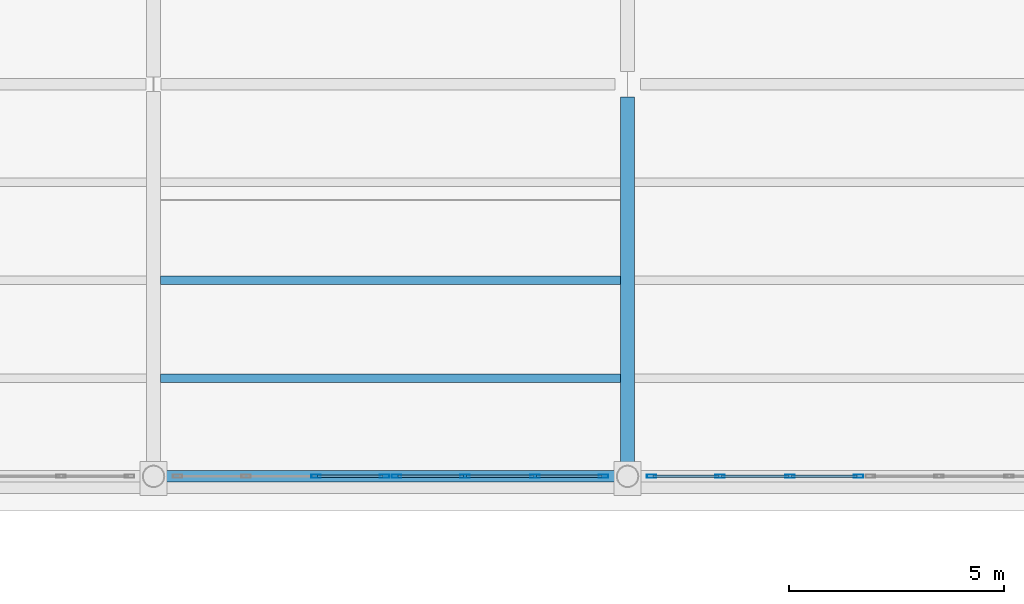
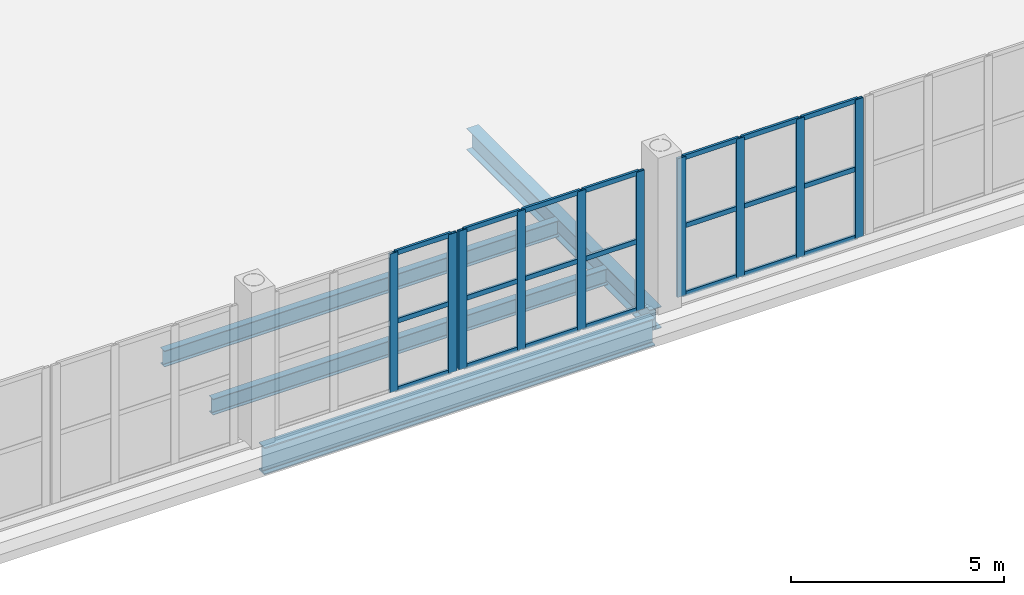
# One storey, part 20 of 156: 31 members, 4 beams, 3 elements without a shape of their own.
"""IFC4 building model written with IfcOpenShell, lengths in metres."""

from ifc_helpers import new_model, si_unit, direction, frame, origin, origin_2d, place, context, subcontext, project, spatial, hollow_rectangle, i_section, extrude, material, material_profile, profile_set, type_object, element, aggregate, save


model = new_model("IFC4")

# Units and contexts
model_context = context("Model", 3, precision=1e-05, world=origin(), true_north=direction((0.0, 1.0)))
body_context = subcontext(model_context, "Body", "Model", "MODEL_VIEW")
ifc_project = project(units=[si_unit("LENGTHUNIT", "METRE"), si_unit("AREAUNIT", "SQUARE_METRE"), si_unit("VOLUMEUNIT", "CUBIC_METRE"), si_unit("PLANEANGLEUNIT", "RADIAN"), si_unit("MASSUNIT", "GRAM", prefix="KILO")], contexts=[model_context])

# Site, building, storey
site_placement = place(None, origin())
site = spatial("IfcSite", under=ifc_project, at=site_placement, CompositionType="ELEMENT")
building_placement = place(site_placement, origin())
building = spatial("IfcBuilding", under=site, at=building_placement, Name="Caurita Quay Ferry Terminal", CompositionType="ELEMENT")
storey_placement = place(building_placement, frame((0.0, 0.0, 5.39990234375)))
storey = spatial("IfcBuildingStorey", under=building, at=storey_placement, Name="L01", CompositionType="ELEMENT", Elevation=5.39990234375)

# Beams
ifc_material_1 = material(Name="Structural steel ASTM A992 Gr. 50", Category="steel")
ifc_material_profile_1 = material_profile(ifc_material_1, i_section(OverallWidth=0.3251953125, OverallDepth=0.612060546875, WebThickness=0.0126953125, FlangeThickness=0.01904296875, FilletRadius=0.01513671875, at=origin_2d()), Name="W24X104")
ifc_profile_set_1 = profile_set([ifc_material_profile_1], Name="Structural steel ASTM A992 Gr. 50")
beam_type_1 = type_object("IfcBeamType", Name="BM-GR-W24A", PredefinedType="BEAM", material=ifc_profile_set_1)
beam_1_placement = place(storey_placement, frame((22.0, 34.81591796875, -0.60595703125), z_axis=(0.0, 1.0, 0.0), x_axis=(-1.0, 0.0, 0.0)))
element("IfcBeam", 1, at=beam_1_placement, inside=storey, type_object=beam_type_1, Name="L01 Beam BM-V1-L01-Y-220-348", PredefinedType="BEAM", context=body_context, shape_type="SweptSolid", body=[
    extrude(i_section(OverallWidth=0.3251953125, OverallDepth=0.612060546875, WebThickness=0.0126953125, FlangeThickness=0.01904296875, FilletRadius=0.01513671875, at=origin_2d()), origin(), (0.0, 0.0, 1.0), 8.586669921875),
])
ifc_material_profile_2 = material_profile(ifc_material_1, i_section(OverallWidth=0.2666015625, OverallDepth=0.77978515625, WebThickness=0.0166015625, FlangeThickness=0.030029296875, FilletRadius=0.01904296875, at=origin_2d()), Name="W30X148")
ifc_profile_set_2 = profile_set([ifc_material_profile_2], Name="Structural steel ASTM A992 Gr. 50")
beam_type_2 = type_object("IfcBeamType", Name="BM-GR-W30A", PredefinedType="BEAM", material=ifc_profile_set_2)
beam_2_placement = place(storey_placement, frame((11.2158203125, 34.60009765625, -0.689697265625), z_axis=(1.0, 0.0, 0.0), x_axis=(0.0, 1.0, 0.0)))
element("IfcBeam", 2, at=beam_2_placement, inside=storey, type_object=beam_type_2, Name="L01 Beam BM-V1-L01-X-112-346", PredefinedType="BEAM", context=body_context, shape_type="SweptSolid", body=[
    extrude(i_section(OverallWidth=0.2666015625, OverallDepth=0.77978515625, WebThickness=0.0166015625, FlangeThickness=0.030029296875, FilletRadius=0.01904296875, at=origin_2d()), origin(), (0.0, 0.0, 1.0), 10.568359375),
])
ifc_material_profile_3 = material_profile(ifc_material_1, i_section(OverallWidth=0.1904296875, OverallDepth=0.457275390625, WebThickness=0.009033203125, FlangeThickness=0.014404296875, FilletRadius=0.0126953125, at=origin_2d()), Name="W18X50")
ifc_profile_set_3 = profile_set([ifc_material_profile_3], Name="Structural steel ASTM A992 Gr. 50")
beam_type_3 = type_object("IfcBeamType", Name="BM-JS-W18B", PredefinedType="JOIST", material=ifc_profile_set_3)
for number, where, z_axis, x_axis, name in (
    (3, (11.16259765625, 36.875, -0.528564453125), (1.0, 0.0, 0.0), (0.0, 1.0, 0.0), "L01 Beam JS-V1-L01-010"),
    (4, (11.16259765625, 39.14990234375, -0.528564453125), (1.0, 0.0, 0.0), (0.0, 1.0, 0.0), "L01 Beam JS-V1-L01-011"),
):
    element("IfcBeam", number, at=place(storey_placement, frame(where, z_axis=z_axis, x_axis=x_axis)), inside=storey, type_object=beam_type_3, Name=name, PredefinedType="JOIST", context=body_context, shape_type="SweptSolid", body=[
        extrude(i_section(OverallWidth=0.1904296875, OverallDepth=0.457275390625, WebThickness=0.009033203125, FlangeThickness=0.014404296875, FilletRadius=0.0126953125, at=origin_2d()), origin(), (0.0, 0.0, 1.0), 10.6748046875),
    ])

# Curtain wall, members
ifc_material_2 = material(Name="Laminated solar-control insulated glass", Category="glass")
curtain_wall_type = type_object("IfcCurtainWallType", Name="CW-SYS-08", PredefinedType="NOTDEFINED", material=ifc_material_2)
curtain_wall_1_placement = place(storey_placement, origin())
curtain_wall_1 = element("IfcCurtainWall", 5, at=curtain_wall_1_placement, inside=storey, type_object=curtain_wall_type, Name="V1 Waterside Concourse Curtain Wall 051", PredefinedType="NOTDEFINED")
ifc_material_3 = material(Name="Anodized aluminium 6063-T6", Category="aluminium")
ifc_material_profile_4 = material_profile(ifc_material_3, hollow_rectangle(XDim=0.074951171875, YDim=0.219970703125, WallThickness=0.00390625, at=origin_2d()), Name="ALU-MUL-75X220")
ifc_profile_set_4 = profile_set([ifc_material_profile_4], Name="Anodized aluminium 6063-T6")
member_type_1 = type_object("IfcMemberType", Name="CW-MUL-220", PredefinedType="MULLION", material=ifc_profile_set_4)
member_1_placement = place(storey_placement, frame((14.773193359375, 34.60009765625, 0.0), z_axis=(0.0, 0.0, 1.0), x_axis=(0.0, 1.0, 0.0)))
member_1 = element("IfcMember", 6, at=member_1_placement, type_object=member_type_1, Name="CW-SEA-051 Mullion 3", PredefinedType="MULLION", context=body_context, shape_type="SweptSolid", body=[
    extrude(hollow_rectangle(XDim=0.074951171875, YDim=0.219970703125, WallThickness=0.00390625, at=origin_2d()), origin(), (0.0, 0.0, 1.0), 3.97021484375),
])
member_2_placement = place(storey_placement, frame((16.362548828125, 34.60009765625, 0.0), z_axis=(0.0, 0.0, 1.0), x_axis=(0.0, 1.0, 0.0)))
member_2 = element("IfcMember", 7, at=member_2_placement, type_object=member_type_1, Name="CW-SEA-051 Mullion 4", PredefinedType="MULLION", context=body_context, shape_type="SweptSolid", body=[
    extrude(hollow_rectangle(XDim=0.074951171875, YDim=0.219970703125, WallThickness=0.00390625, at=origin_2d()), origin(), (0.0, 0.0, 1.0), 3.97021484375),
])

curtain_wall_2_placement = place(storey_placement, origin())
curtain_wall_2 = element("IfcCurtainWall", 8, at=curtain_wall_2_placement, inside=storey, type_object=curtain_wall_type, Name="V1 Waterside Concourse Curtain Wall 052", PredefinedType="NOTDEFINED")
member_3_placement = place(storey_placement, frame((16.637451171875, 34.60009765625, 0.0), z_axis=(0.0, 0.0, 1.0), x_axis=(0.0, 1.0, 0.0)))
member_3 = element("IfcMember", 9, at=member_3_placement, type_object=member_type_1, Name="CW-SEA-052 Mullion 1", PredefinedType="MULLION", context=body_context, shape_type="SweptSolid", body=[
    extrude(hollow_rectangle(XDim=0.074951171875, YDim=0.219970703125, WallThickness=0.00390625, at=origin_2d()), origin(), (0.0, 0.0, 1.0), 3.97021484375),
])
member_4_placement = place(storey_placement, frame((18.226806640625, 34.60009765625, 0.0), z_axis=(0.0, 0.0, 1.0), x_axis=(0.0, 1.0, 0.0)))
member_4 = element("IfcMember", 10, at=member_4_placement, type_object=member_type_1, Name="CW-SEA-052 Mullion 2", PredefinedType="MULLION", context=body_context, shape_type="SweptSolid", body=[
    extrude(hollow_rectangle(XDim=0.074951171875, YDim=0.219970703125, WallThickness=0.00390625, at=origin_2d()), origin(), (0.0, 0.0, 1.0), 3.97021484375),
])
member_5_placement = place(storey_placement, frame((19.853271484375, 34.60009765625, 0.0), z_axis=(0.0, 0.0, 1.0), x_axis=(0.0, 1.0, 0.0)))
member_5 = element("IfcMember", 11, at=member_5_placement, type_object=member_type_1, Name="CW-SEA-052 Mullion 3", PredefinedType="MULLION", context=body_context, shape_type="SweptSolid", body=[
    extrude(hollow_rectangle(XDim=0.074951171875, YDim=0.219970703125, WallThickness=0.00390625, at=origin_2d()), origin(), (0.0, 0.0, 1.0), 3.97021484375),
])
member_6_placement = place(storey_placement, frame((21.4423828125, 34.60009765625, 0.0), z_axis=(0.0, 0.0, 1.0), x_axis=(0.0, 1.0, 0.0)))
member_6 = element("IfcMember", 12, at=member_6_placement, type_object=member_type_1, Name="CW-SEA-052 Mullion 4", PredefinedType="MULLION", context=body_context, shape_type="SweptSolid", body=[
    extrude(hollow_rectangle(XDim=0.074951171875, YDim=0.219970703125, WallThickness=0.00390625, at=origin_2d()), origin(), (0.0, 0.0, 1.0), 3.97021484375),
])

curtain_wall_3_placement = place(storey_placement, origin())
curtain_wall_3 = element("IfcCurtainWall", 13, at=curtain_wall_3_placement, inside=storey, type_object=curtain_wall_type, Name="V1 Waterside Concourse Curtain Wall 053", PredefinedType="NOTDEFINED")
member_7_placement = place(storey_placement, frame((22.5576171875, 34.60009765625, 0.0), z_axis=(0.0, 0.0, 1.0), x_axis=(0.0, 1.0, 0.0)))
member_7 = element("IfcMember", 14, at=member_7_placement, type_object=member_type_1, Name="CW-SEA-053 Mullion 1", PredefinedType="MULLION", context=body_context, shape_type="SweptSolid", body=[
    extrude(hollow_rectangle(XDim=0.074951171875, YDim=0.219970703125, WallThickness=0.00390625, at=origin_2d()), origin(), (0.0, 0.0, 1.0), 3.97021484375),
])
member_8_placement = place(storey_placement, frame((24.146728515625, 34.60009765625, 0.0), z_axis=(0.0, 0.0, 1.0), x_axis=(0.0, 1.0, 0.0)))
member_8 = element("IfcMember", 15, at=member_8_placement, type_object=member_type_1, Name="CW-SEA-053 Mullion 2", PredefinedType="MULLION", context=body_context, shape_type="SweptSolid", body=[
    extrude(hollow_rectangle(XDim=0.074951171875, YDim=0.219970703125, WallThickness=0.00390625, at=origin_2d()), origin(), (0.0, 0.0, 1.0), 3.97021484375),
])
member_9_placement = place(storey_placement, frame((25.773193359375, 34.60009765625, 0.0), z_axis=(0.0, 0.0, 1.0), x_axis=(0.0, 1.0, 0.0)))
member_9 = element("IfcMember", 16, at=member_9_placement, type_object=member_type_1, Name="CW-SEA-053 Mullion 3", PredefinedType="MULLION", context=body_context, shape_type="SweptSolid", body=[
    extrude(hollow_rectangle(XDim=0.074951171875, YDim=0.219970703125, WallThickness=0.00390625, at=origin_2d()), origin(), (0.0, 0.0, 1.0), 3.97021484375),
])
member_10_placement = place(storey_placement, frame((27.362548828125, 34.60009765625, 0.0), z_axis=(0.0, 0.0, 1.0), x_axis=(0.0, 1.0, 0.0)))
member_10 = element("IfcMember", 17, at=member_10_placement, type_object=member_type_1, Name="CW-SEA-053 Mullion 4", PredefinedType="MULLION", context=body_context, shape_type="SweptSolid", body=[
    extrude(hollow_rectangle(XDim=0.074951171875, YDim=0.219970703125, WallThickness=0.00390625, at=origin_2d()), origin(), (0.0, 0.0, 1.0), 3.97021484375),
])

# Member
ifc_material_profile_5 = material_profile(ifc_material_3, hollow_rectangle(XDim=0.06494140625, YDim=0.135009765625, WallThickness=0.00341796875, at=origin_2d()), Name="ALU-TRN-65X135")
ifc_profile_set_5 = profile_set([ifc_material_profile_5], Name="Anodized aluminium 6063-T6")
member_type_2 = type_object("IfcMemberType", Name="CW-TRN-135", PredefinedType="USERDEFINED", material=ifc_profile_set_5)
member_11_placement = place(storey_placement, frame((14.808837890625, 34.60009765625, 0.03271484375), z_axis=(1.0, 0.0, 0.0), x_axis=(0.0, 1.0, 0.0)))
member_11 = element("IfcMember", 18, at=member_11_placement, type_object=member_type_2, Name="CW-SEA-051 Transom 7", ObjectType="TRANSOM", PredefinedType="USERDEFINED", context=body_context, shape_type="SweptSolid", body=[
    extrude(hollow_rectangle(XDim=0.06494140625, YDim=0.135009765625, WallThickness=0.00341796875, at=origin_2d()), origin(), (0.0, 0.0, 1.0), 1.51806640625),
])

member_12_placement = place(storey_placement, frame((14.808837890625, 34.60009765625, 1.985107421875), z_axis=(1.0, 0.0, 0.0), x_axis=(0.0, 1.0, 0.0)))
member_12 = element("IfcMember", 19, at=member_12_placement, type_object=member_type_2, Name="CW-SEA-051 Transom 8", ObjectType="TRANSOM", PredefinedType="USERDEFINED", context=body_context, shape_type="SweptSolid", body=[
    extrude(hollow_rectangle(XDim=0.06494140625, YDim=0.135009765625, WallThickness=0.00341796875, at=origin_2d()), origin(), (0.0, 0.0, 1.0), 1.51806640625),
])

member_13_placement = place(storey_placement, frame((14.808837890625, 34.60009765625, 3.9375), z_axis=(1.0, 0.0, 0.0), x_axis=(0.0, 1.0, 0.0)))
member_13 = element("IfcMember", 20, at=member_13_placement, type_object=member_type_2, Name="CW-SEA-051 Transom 9", ObjectType="TRANSOM", PredefinedType="USERDEFINED", context=body_context, shape_type="SweptSolid", body=[
    extrude(hollow_rectangle(XDim=0.06494140625, YDim=0.135009765625, WallThickness=0.00341796875, at=origin_2d()), origin(), (0.0, 0.0, 1.0), 1.51806640625),
])

aggregate(curtain_wall_1, [member_1, member_2, member_11, member_12, member_13])

member_14_placement = place(storey_placement, frame((16.673095703125, 34.60009765625, 0.03271484375), z_axis=(1.0, 0.0, 0.0), x_axis=(0.0, 1.0, 0.0)))
member_14 = element("IfcMember", 21, at=member_14_placement, type_object=member_type_2, Name="CW-SEA-052 Transom 1", ObjectType="TRANSOM", PredefinedType="USERDEFINED", context=body_context, shape_type="SweptSolid", body=[
    extrude(hollow_rectangle(XDim=0.06494140625, YDim=0.135009765625, WallThickness=0.00341796875, at=origin_2d()), origin(), (0.0, 0.0, 1.0), 1.51806640625),
])

member_15_placement = place(storey_placement, frame((16.673095703125, 34.60009765625, 1.985107421875), z_axis=(1.0, 0.0, 0.0), x_axis=(0.0, 1.0, 0.0)))
member_15 = element("IfcMember", 22, at=member_15_placement, type_object=member_type_2, Name="CW-SEA-052 Transom 2", ObjectType="TRANSOM", PredefinedType="USERDEFINED", context=body_context, shape_type="SweptSolid", body=[
    extrude(hollow_rectangle(XDim=0.06494140625, YDim=0.135009765625, WallThickness=0.00341796875, at=origin_2d()), origin(), (0.0, 0.0, 1.0), 1.51806640625),
])

member_16_placement = place(storey_placement, frame((16.673095703125, 34.60009765625, 3.9375), z_axis=(1.0, 0.0, 0.0), x_axis=(0.0, 1.0, 0.0)))
member_16 = element("IfcMember", 23, at=member_16_placement, type_object=member_type_2, Name="CW-SEA-052 Transom 3", ObjectType="TRANSOM", PredefinedType="USERDEFINED", context=body_context, shape_type="SweptSolid", body=[
    extrude(hollow_rectangle(XDim=0.06494140625, YDim=0.135009765625, WallThickness=0.00341796875, at=origin_2d()), origin(), (0.0, 0.0, 1.0), 1.51806640625),
])

member_17_placement = place(storey_placement, frame((18.26220703125, 34.60009765625, 0.03271484375), z_axis=(1.0, 0.0, 0.0), x_axis=(0.0, 1.0, 0.0)))
member_17 = element("IfcMember", 24, at=member_17_placement, type_object=member_type_2, Name="CW-SEA-052 Transom 4", ObjectType="TRANSOM", PredefinedType="USERDEFINED", context=body_context, shape_type="SweptSolid", body=[
    extrude(hollow_rectangle(XDim=0.06494140625, YDim=0.135009765625, WallThickness=0.00341796875, at=origin_2d()), origin(), (0.0, 0.0, 1.0), 1.5556640625),
])

member_18_placement = place(storey_placement, frame((18.26220703125, 34.60009765625, 1.985107421875), z_axis=(1.0, 0.0, 0.0), x_axis=(0.0, 1.0, 0.0)))
member_18 = element("IfcMember", 25, at=member_18_placement, type_object=member_type_2, Name="CW-SEA-052 Transom 5", ObjectType="TRANSOM", PredefinedType="USERDEFINED", context=body_context, shape_type="SweptSolid", body=[
    extrude(hollow_rectangle(XDim=0.06494140625, YDim=0.135009765625, WallThickness=0.00341796875, at=origin_2d()), origin(), (0.0, 0.0, 1.0), 1.5556640625),
])

member_19_placement = place(storey_placement, frame((18.26220703125, 34.60009765625, 3.9375), z_axis=(1.0, 0.0, 0.0), x_axis=(0.0, 1.0, 0.0)))
member_19 = element("IfcMember", 26, at=member_19_placement, type_object=member_type_2, Name="CW-SEA-052 Transom 6", ObjectType="TRANSOM", PredefinedType="USERDEFINED", context=body_context, shape_type="SweptSolid", body=[
    extrude(hollow_rectangle(XDim=0.06494140625, YDim=0.135009765625, WallThickness=0.00341796875, at=origin_2d()), origin(), (0.0, 0.0, 1.0), 1.5556640625),
])

member_20_placement = place(storey_placement, frame((19.888916015625, 34.60009765625, 0.03271484375), z_axis=(1.0, 0.0, 0.0), x_axis=(0.0, 1.0, 0.0)))
member_20 = element("IfcMember", 27, at=member_20_placement, type_object=member_type_2, Name="CW-SEA-052 Transom 7", ObjectType="TRANSOM", PredefinedType="USERDEFINED", context=body_context, shape_type="SweptSolid", body=[
    extrude(hollow_rectangle(XDim=0.06494140625, YDim=0.135009765625, WallThickness=0.00341796875, at=origin_2d()), origin(), (0.0, 0.0, 1.0), 1.51806640625),
])

member_21_placement = place(storey_placement, frame((19.888916015625, 34.60009765625, 1.985107421875), z_axis=(1.0, 0.0, 0.0), x_axis=(0.0, 1.0, 0.0)))
member_21 = element("IfcMember", 28, at=member_21_placement, type_object=member_type_2, Name="CW-SEA-052 Transom 8", ObjectType="TRANSOM", PredefinedType="USERDEFINED", context=body_context, shape_type="SweptSolid", body=[
    extrude(hollow_rectangle(XDim=0.06494140625, YDim=0.135009765625, WallThickness=0.00341796875, at=origin_2d()), origin(), (0.0, 0.0, 1.0), 1.51806640625),
])

member_22_placement = place(storey_placement, frame((19.888916015625, 34.60009765625, 3.9375), z_axis=(1.0, 0.0, 0.0), x_axis=(0.0, 1.0, 0.0)))
member_22 = element("IfcMember", 29, at=member_22_placement, type_object=member_type_2, Name="CW-SEA-052 Transom 9", ObjectType="TRANSOM", PredefinedType="USERDEFINED", context=body_context, shape_type="SweptSolid", body=[
    extrude(hollow_rectangle(XDim=0.06494140625, YDim=0.135009765625, WallThickness=0.00341796875, at=origin_2d()), origin(), (0.0, 0.0, 1.0), 1.51806640625),
])

aggregate(curtain_wall_2, [member_3, member_4, member_5, member_6, member_14, member_15, member_16, member_17, member_18, member_19, member_20, member_21, member_22])

member_23_placement = place(storey_placement, frame((22.593017578125, 34.60009765625, 0.03271484375), z_axis=(1.0, 0.0, 0.0), x_axis=(0.0, 1.0, 0.0)))
member_23 = element("IfcMember", 30, at=member_23_placement, type_object=member_type_2, Name="CW-SEA-053 Transom 1", ObjectType="TRANSOM", PredefinedType="USERDEFINED", context=body_context, shape_type="SweptSolid", body=[
    extrude(hollow_rectangle(XDim=0.06494140625, YDim=0.135009765625, WallThickness=0.00341796875, at=origin_2d()), origin(), (0.0, 0.0, 1.0), 1.51806640625),
])

member_24_placement = place(storey_placement, frame((22.593017578125, 34.60009765625, 1.985107421875), z_axis=(1.0, 0.0, 0.0), x_axis=(0.0, 1.0, 0.0)))
member_24 = element("IfcMember", 31, at=member_24_placement, type_object=member_type_2, Name="CW-SEA-053 Transom 2", ObjectType="TRANSOM", PredefinedType="USERDEFINED", context=body_context, shape_type="SweptSolid", body=[
    extrude(hollow_rectangle(XDim=0.06494140625, YDim=0.135009765625, WallThickness=0.00341796875, at=origin_2d()), origin(), (0.0, 0.0, 1.0), 1.51806640625),
])

member_25_placement = place(storey_placement, frame((22.593017578125, 34.60009765625, 3.9375), z_axis=(1.0, 0.0, 0.0), x_axis=(0.0, 1.0, 0.0)))
member_25 = element("IfcMember", 32, at=member_25_placement, type_object=member_type_2, Name="CW-SEA-053 Transom 3", ObjectType="TRANSOM", PredefinedType="USERDEFINED", context=body_context, shape_type="SweptSolid", body=[
    extrude(hollow_rectangle(XDim=0.06494140625, YDim=0.135009765625, WallThickness=0.00341796875, at=origin_2d()), origin(), (0.0, 0.0, 1.0), 1.51806640625),
])

member_26_placement = place(storey_placement, frame((24.18212890625, 34.60009765625, 0.03271484375), z_axis=(1.0, 0.0, 0.0), x_axis=(0.0, 1.0, 0.0)))
member_26 = element("IfcMember", 33, at=member_26_placement, type_object=member_type_2, Name="CW-SEA-053 Transom 4", ObjectType="TRANSOM", PredefinedType="USERDEFINED", context=body_context, shape_type="SweptSolid", body=[
    extrude(hollow_rectangle(XDim=0.06494140625, YDim=0.135009765625, WallThickness=0.00341796875, at=origin_2d()), origin(), (0.0, 0.0, 1.0), 1.5556640625),
])

member_27_placement = place(storey_placement, frame((24.18212890625, 34.60009765625, 1.985107421875), z_axis=(1.0, 0.0, 0.0), x_axis=(0.0, 1.0, 0.0)))
member_27 = element("IfcMember", 34, at=member_27_placement, type_object=member_type_2, Name="CW-SEA-053 Transom 5", ObjectType="TRANSOM", PredefinedType="USERDEFINED", context=body_context, shape_type="SweptSolid", body=[
    extrude(hollow_rectangle(XDim=0.06494140625, YDim=0.135009765625, WallThickness=0.00341796875, at=origin_2d()), origin(), (0.0, 0.0, 1.0), 1.5556640625),
])

member_28_placement = place(storey_placement, frame((24.18212890625, 34.60009765625, 3.9375), z_axis=(1.0, 0.0, 0.0), x_axis=(0.0, 1.0, 0.0)))
member_28 = element("IfcMember", 35, at=member_28_placement, type_object=member_type_2, Name="CW-SEA-053 Transom 6", ObjectType="TRANSOM", PredefinedType="USERDEFINED", context=body_context, shape_type="SweptSolid", body=[
    extrude(hollow_rectangle(XDim=0.06494140625, YDim=0.135009765625, WallThickness=0.00341796875, at=origin_2d()), origin(), (0.0, 0.0, 1.0), 1.5556640625),
])

member_29_placement = place(storey_placement, frame((25.808837890625, 34.60009765625, 0.03271484375), z_axis=(1.0, 0.0, 0.0), x_axis=(0.0, 1.0, 0.0)))
member_29 = element("IfcMember", 36, at=member_29_placement, type_object=member_type_2, Name="CW-SEA-053 Transom 7", ObjectType="TRANSOM", PredefinedType="USERDEFINED", context=body_context, shape_type="SweptSolid", body=[
    extrude(hollow_rectangle(XDim=0.06494140625, YDim=0.135009765625, WallThickness=0.00341796875, at=origin_2d()), origin(), (0.0, 0.0, 1.0), 1.51806640625),
])

member_30_placement = place(storey_placement, frame((25.808837890625, 34.60009765625, 1.985107421875), z_axis=(1.0, 0.0, 0.0), x_axis=(0.0, 1.0, 0.0)))
member_30 = element("IfcMember", 37, at=member_30_placement, type_object=member_type_2, Name="CW-SEA-053 Transom 8", ObjectType="TRANSOM", PredefinedType="USERDEFINED", context=body_context, shape_type="SweptSolid", body=[
    extrude(hollow_rectangle(XDim=0.06494140625, YDim=0.135009765625, WallThickness=0.00341796875, at=origin_2d()), origin(), (0.0, 0.0, 1.0), 1.51806640625),
])

member_31_placement = place(storey_placement, frame((25.808837890625, 34.60009765625, 3.9375), z_axis=(1.0, 0.0, 0.0), x_axis=(0.0, 1.0, 0.0)))
member_31 = element("IfcMember", 38, at=member_31_placement, type_object=member_type_2, Name="CW-SEA-053 Transom 9", ObjectType="TRANSOM", PredefinedType="USERDEFINED", context=body_context, shape_type="SweptSolid", body=[
    extrude(hollow_rectangle(XDim=0.06494140625, YDim=0.135009765625, WallThickness=0.00341796875, at=origin_2d()), origin(), (0.0, 0.0, 1.0), 1.51806640625),
])

aggregate(curtain_wall_3, [member_7, member_8, member_9, member_10, member_23, member_24, member_25, member_26, member_27, member_28, member_29, member_30, member_31])

save(model, "model.ifc")
